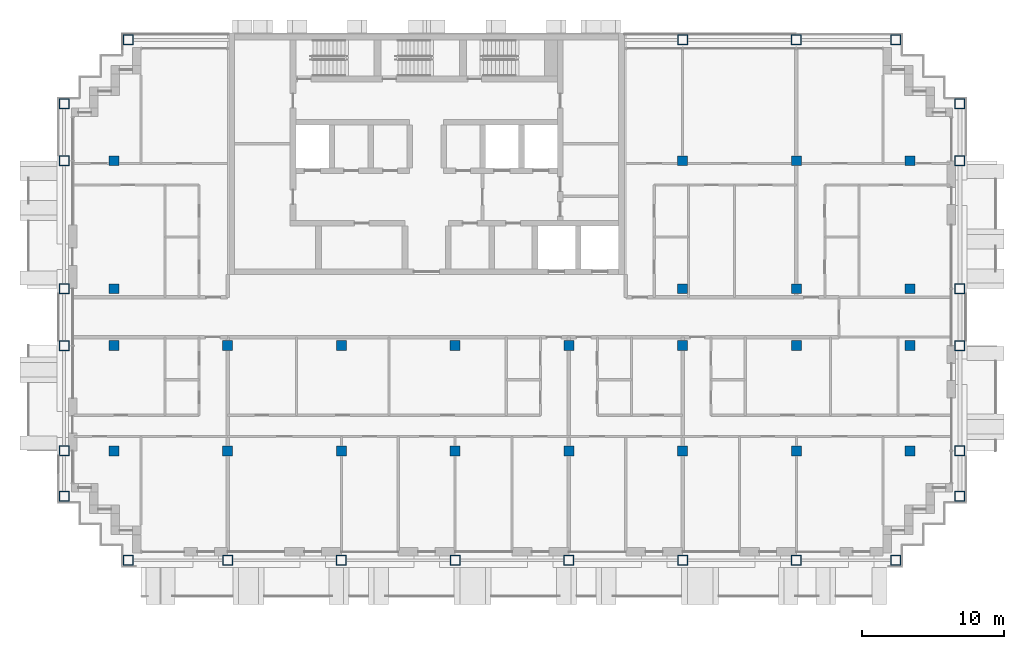
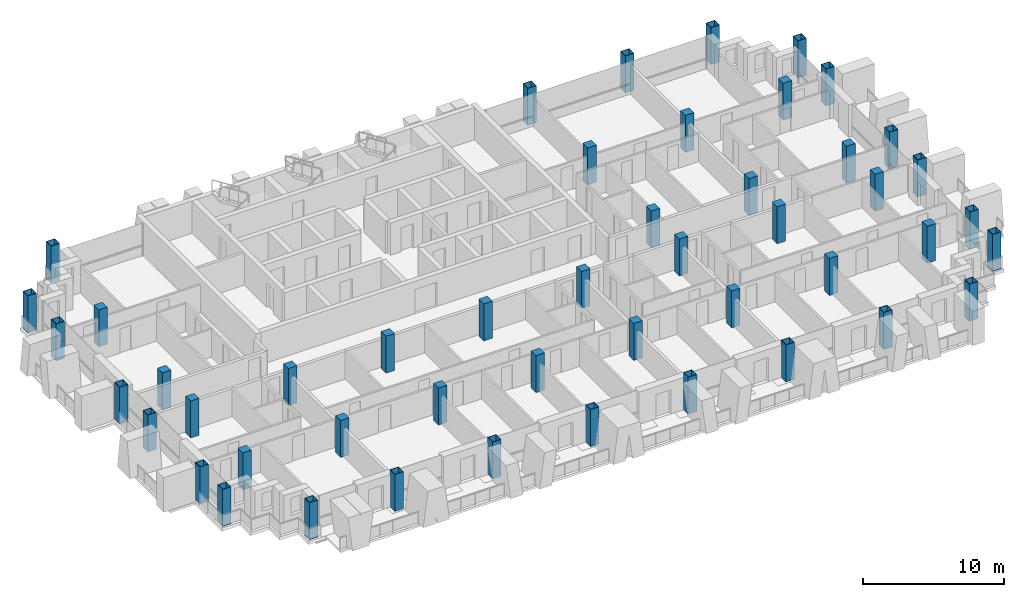
# One storey, part 1 of 16: 48 columns.
"""IFC4 building model written with IfcOpenShell, lengths in metres."""

from ifc_helpers import new_model, si_unit, direction, frame, origin, origin_2d, place, context, subcontext, project, spatial, rectangle, hollow_rectangle, extrude, material, material_profile, profile_set, type_object, element, save


model = new_model("IFC4")

# Units and contexts
model_context = context("Model", 3, precision=1e-05, world=origin(), true_north=direction((0.0, 1.0)))
body_context = subcontext(model_context, "Body", "Model", "MODEL_VIEW")
ifc_project = project(units=[si_unit("LENGTHUNIT", "METRE"), si_unit("AREAUNIT", "SQUARE_METRE"), si_unit("VOLUMEUNIT", "CUBIC_METRE"), si_unit("PLANEANGLEUNIT", "RADIAN"), si_unit("MASSUNIT", "GRAM", prefix="KILO")], contexts=[model_context])

# Site, building, storey
site_placement = place(None, origin())
site = spatial("IfcSite", under=ifc_project, at=site_placement, CompositionType="ELEMENT")
building_placement = place(site_placement, origin())
building = spatial("IfcBuilding", under=site, at=building_placement, Name="Vidyagriha Tower", CompositionType="ELEMENT")
storey_placement = place(building_placement, frame((0.0, 0.0, 190.89990234375)))
storey = spatial("IfcBuildingStorey", under=building, at=storey_placement, Name="L50", CompositionType="ELEMENT", Elevation=190.89990234375)

# Columns
ifc_material_1 = material(Name="Steel ASTM A572 Grade 50", Category="steel")
ifc_material_profile_1 = material_profile(ifc_material_1, hollow_rectangle(XDim=0.699951171875, YDim=0.699951171875, WallThickness=0.035888671875, at=origin_2d()), Name="BOX 700x700x36")
ifc_profile_set_1 = profile_set([ifc_material_profile_1], Name="Steel ASTM A572 Grade 50")
column_type_1 = type_object("IfcColumnType", Name="Exoskeleton column BOX 700x700x36", PredefinedType="COLUMN", material=ifc_profile_set_1)
for number, where, name in (
    (1, (-21.0, -17.10009765625, 0.0), "st-col-L50-B4-001"),
    (2, (-14.0, -17.10009765625, 0.0), "st-col-L50-B4-002"),
    (3, (-6.0, -17.10009765625, 0.0), "st-col-L50-B4-003"),
    (4, (2.0, -17.10009765625, 0.0), "st-col-L50-B4-004"),
    (5, (10.0, -17.10009765625, 0.0), "st-col-L50-B4-005"),
    (6, (18.0, -17.10009765625, 0.0), "st-col-L50-B4-006"),
    (7, (26.0, -17.10009765625, 0.0), "st-col-L50-B4-007"),
    (8, (33.0, -17.10009765625, 0.0), "st-col-L50-B4-008"),
    (9, (-25.5, -12.60009765625, 0.0), "st-col-L50-B4-009"),
    (10, (37.5, -12.60009765625, 0.0), "st-col-L50-B4-010"),
    (11, (-25.5, -9.39990234375, 0.0), "st-col-L50-B4-011"),
    (12, (37.5, -9.39990234375, 0.0), "st-col-L50-B4-020"),
    (13, (-25.5, -2.0, 0.0), "st-col-L50-B4-021"),
    (14, (37.5, -2.0, 0.0), "st-col-L50-B4-030"),
    (15, (-25.5, 2.0, 0.0), "st-col-L50-B4-031"),
    (16, (37.5, 2.0, 0.0), "st-col-L50-B4-036"),
    (17, (-25.5, 11.0, 0.0), "st-col-L50-B4-037"),
    (18, (37.5, 11.0, 0.0), "st-col-L50-B4-042"),
    (19, (-25.5, 15.0, 0.0), "st-col-L50-B4-043"),
    (20, (37.5, 15.0, 0.0), "st-col-L50-B4-044"),
    (21, (-21.0, 19.5, 0.0), "st-col-L50-B4-045"),
    (22, (18.0, 19.5, 0.0), "st-col-L50-B4-046"),
    (23, (26.0, 19.5, 0.0), "st-col-L50-B4-047"),
    (24, (33.0, 19.5, 0.0), "st-col-L50-B4-048"),
):
    element("IfcColumn", number, at=place(storey_placement, frame(where)), inside=storey, type_object=column_type_1, Name=name, PredefinedType="COLUMN", context=body_context, shape_type="SweptSolid", body=[
        extrude(hollow_rectangle(XDim=0.699951171875, YDim=0.699951171875, WallThickness=0.035888671875, at=origin_2d()), origin(), (0.0, 0.0, 1.0), 3.2001953125),
    ])
ifc_material_2 = material(Name="Concrete C60/75", Category="concrete")
ifc_material_profile_2 = material_profile(ifc_material_2, rectangle(XDim=0.699951171875, YDim=0.699951171875, at=origin_2d()), Name="RC 700x700")
ifc_profile_set_2 = profile_set([ifc_material_profile_2], Name="Concrete C60/75")
column_type_2 = type_object("IfcColumnType", Name="Frame column RC 700x700", PredefinedType="COLUMN", material=ifc_profile_set_2)
for number, where, name in (
    (25, (-22.0, -9.39990234375, 0.0), "st-col-L50-B4-012"),
    (26, (-14.0, -9.39990234375, 0.0), "st-col-L50-B4-013"),
    (27, (-6.0, -9.39990234375, 0.0), "st-col-L50-B4-014"),
    (28, (2.0, -9.39990234375, 0.0), "st-col-L50-B4-015"),
    (29, (10.0, -9.39990234375, 0.0), "st-col-L50-B4-016"),
    (30, (18.0, -9.39990234375, 0.0), "st-col-L50-B4-017"),
    (31, (26.0, -9.39990234375, 0.0), "st-col-L50-B4-018"),
    (32, (34.0, -9.39990234375, 0.0), "st-col-L50-B4-019"),
    (33, (-22.0, -2.0, 0.0), "st-col-L50-B4-022"),
    (34, (-14.0, -2.0, 0.0), "st-col-L50-B4-023"),
    (35, (-6.0, -2.0, 0.0), "st-col-L50-B4-024"),
    (36, (2.0, -2.0, 0.0), "st-col-L50-B4-025"),
    (37, (10.0, -2.0, 0.0), "st-col-L50-B4-026"),
    (38, (18.0, -2.0, 0.0), "st-col-L50-B4-027"),
    (39, (26.0, -2.0, 0.0), "st-col-L50-B4-028"),
    (40, (34.0, -2.0, 0.0), "st-col-L50-B4-029"),
    (41, (-22.0, 2.0, 0.0), "st-col-L50-B4-032"),
    (42, (18.0, 2.0, 0.0), "st-col-L50-B4-033"),
    (43, (26.0, 2.0, 0.0), "st-col-L50-B4-034"),
    (44, (34.0, 2.0, 0.0), "st-col-L50-B4-035"),
    (45, (-22.0, 11.0, 0.0), "st-col-L50-B4-038"),
    (46, (18.0, 11.0, 0.0), "st-col-L50-B4-039"),
    (47, (26.0, 11.0, 0.0), "st-col-L50-B4-040"),
    (48, (34.0, 11.0, 0.0), "st-col-L50-B4-041"),
):
    element("IfcColumn", number, at=place(storey_placement, frame(where)), inside=storey, type_object=column_type_2, Name=name, PredefinedType="COLUMN", context=body_context, shape_type="SweptSolid", body=[
        extrude(rectangle(XDim=0.699951171875, YDim=0.699951171875, at=origin_2d()), origin(), (0.0, 0.0, 1.0), 3.2001953125),
    ])

save(model, "model.ifc")
